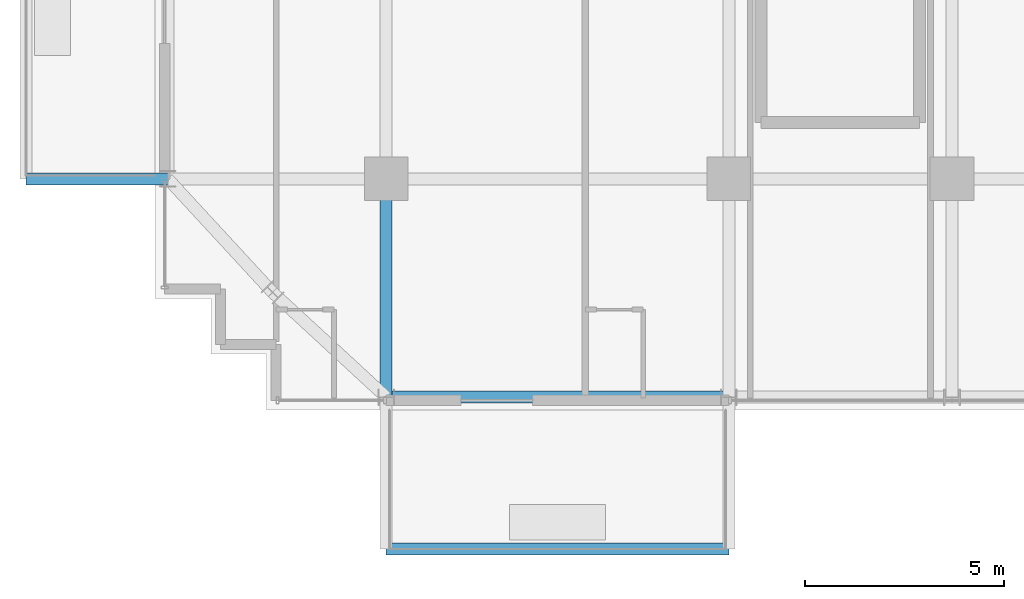
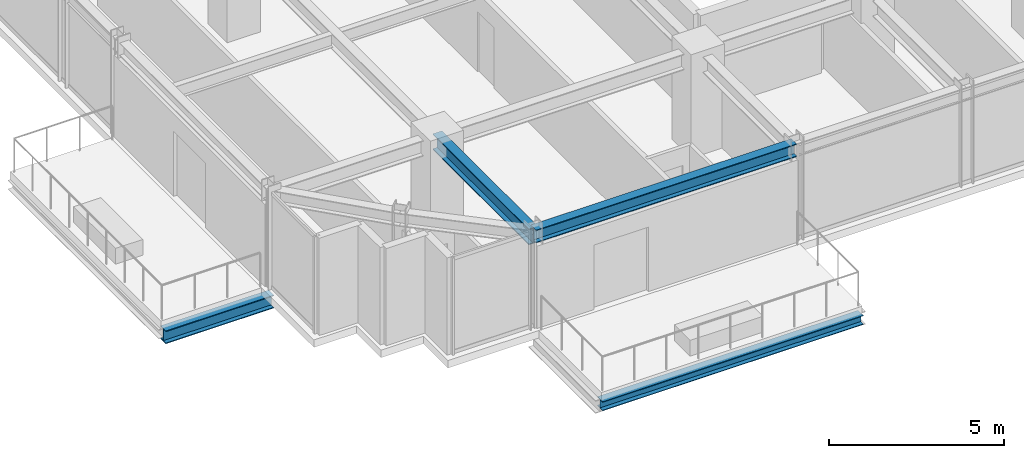
# One storey, part 3 of 31: 4 beams.
"""IFC4 building model written with IfcOpenShell, lengths in metres."""

import ifcopenshell
import ifcopenshell.guid

model = None  # the IFC model being written
_history = None  # IfcOwnerHistory: only IFC2X3 demands one
_inside = {}  # id of a spatial element -> (the spatial element, [elements in it])
_under = {}  # id of a project, library or spatial element -> (it, [spatial elements below it])
_declared = {}  # id of a project -> (the project, [libraries it declares])
_typed = {}  # id of a type object -> (the type object, [elements of that type])
_made_of = {}  # id of a material, layer set ... -> (it, [elements and type objects made of it])


def new_model(schema):
    """Start an empty IFC model of exactly this schema.

    Asked for "IFC4X3", IfcOpenShell would pick the latest addendum, in which some entities
    have other attributes; the version numbers below select the first issue.
    IFC2X3 requires an IfcOwnerHistory on every rooted entity: one is made here for all.
    """
    global model, _history
    if schema == "IFC4X3":
        model = ifcopenshell.file(schema_version=(4, 3, 0, 0))
    else:
        model = ifcopenshell.file(schema=schema)
    _inside.clear()
    _under.clear()
    _declared.clear()
    _typed.clear()
    _made_of.clear()
    _history = None
    if model.schema == "IFC2X3":
        org = make("IfcOrganization", Name="unknown")
        user = make(
            "IfcPersonAndOrganization",
            ThePerson=make("IfcPerson", FamilyName="unknown"),
            TheOrganization=org,
        )
        app = make(
            "IfcApplication",
            ApplicationDeveloper=org,
            Version="unknown",
            ApplicationFullName="unknown",
            ApplicationIdentifier="unknown",
        )
        _history = make(
            "IfcOwnerHistory",
            OwningUser=user,
            OwningApplication=app,
            ChangeAction="ADDED",
            CreationDate=0,
        )
    return model


def make(cls, **values):
    """One entity of the class cls with the attributes given. An attribute that is None is left unset."""
    return model.create_entity(
        cls, **{name: value for name, value in values.items() if value is not None}
    )


def rooted(cls, **values):
    """An entity with a GlobalId (a new one), such as an element, a storey or a relation."""
    return make(cls, GlobalId=ifcopenshell.guid.new(), OwnerHistory=_history, **values)


def si_unit(unit_type, name, prefix=None):
    """IfcSIUnit, for example si_unit("LENGTHUNIT", "METRE", prefix="MILLI")."""
    return make("IfcSIUnit", UnitType=unit_type, Prefix=prefix, Name=name)


def assignment(units):
    """IfcUnitAssignment: the units of a project."""
    return None if units is None else make("IfcUnitAssignment", Units=units)


def point(xyz):
    """IfcCartesianPoint."""
    return None if xyz is None else make("IfcCartesianPoint", Coordinates=xyz)


def direction(xyz):
    """IfcDirection."""
    return None if xyz is None else make("IfcDirection", DirectionRatios=xyz)


def frame(location, z_axis=None, x_axis=None):
    """IfcAxis2Placement3D, a coordinate frame: its origin and axes. An axis left out is left unset."""
    return make(
        "IfcAxis2Placement3D",
        Location=point(location),
        Axis=direction(z_axis),
        RefDirection=direction(x_axis),
    )


def frame_2d(location, x_axis=None):
    """IfcAxis2Placement2D, a coordinate frame in the plane: its origin and x axis."""
    return make(
        "IfcAxis2Placement2D", Location=point(location), RefDirection=direction(x_axis)
    )


def origin():
    """The frame at (0, 0, 0) with its axes left unset."""
    return frame((0.0, 0.0, 0.0))


def origin_2d():
    """The frame at (0, 0) in the plane with its x axis left unset."""
    return frame_2d((0.0, 0.0))


def place(relative_to, where):
    """IfcLocalPlacement: puts the frame where relative to a parent placement (None: the world)."""
    return make(
        "IfcLocalPlacement", PlacementRelTo=relative_to, RelativePlacement=where
    )


def context(
    kind, dimensions, precision=None, world=None, true_north=None, identifier=None
):
    """IfcGeometricRepresentationContext, for example the 3D "Model" context."""
    return make(
        "IfcGeometricRepresentationContext",
        ContextIdentifier=identifier,
        ContextType=kind,
        CoordinateSpaceDimension=dimensions,
        Precision=precision,
        WorldCoordinateSystem=world,
        TrueNorth=true_north,
    )


def subcontext(parent, identifier, kind, view, scale=None):
    """IfcGeometricRepresentationSubContext, for example "Body" below "Model"."""
    return make(
        "IfcGeometricRepresentationSubContext",
        ContextIdentifier=identifier,
        ContextType=kind,
        ParentContext=parent,
        TargetScale=scale,
        TargetView=view,
    )


def project(units=None, contexts=None):
    """IfcProject with its units and contexts."""
    return rooted(
        "IfcProject",
        Name="project",
        RepresentationContexts=contexts,
        UnitsInContext=assignment(units),
    )


def spatial(cls, under=None, at=None, **own):
    """A site, building, storey or space (cls), placed at a placement, below another one or the project."""
    s = rooted(cls, ObjectPlacement=at, **own)
    if under is not None:
        _under.setdefault(under.id(), (under, []))[1].append(s)
    return s


def profile(cls, at=None, kind="AREA", **sizes):
    """A parametric profile (cls). Its sizes go by their IFC names, for example OverallWidth=200.0."""
    return make(cls, ProfileType=kind, Position=at, **sizes)


def i_section(**sizes):
    """IfcIShapeProfileDef."""
    return profile("IfcIShapeProfileDef", **sizes)


def extrude(swept, where, along, depth):
    """IfcExtrudedAreaSolid: the profile swept, set in the frame where, extruded along a direction by depth."""
    return make(
        "IfcExtrudedAreaSolid",
        SweptArea=swept,
        Position=where,
        ExtrudedDirection=direction(along),
        Depth=depth,
    )


def shape(context_of_items, identifier, shape_type, items):
    """IfcShapeRepresentation: the items that make up one representation, for example the "Body"."""
    return make(
        "IfcShapeRepresentation",
        ContextOfItems=context_of_items,
        RepresentationIdentifier=identifier,
        RepresentationType=shape_type,
        Items=items,
    )


def source(mapping_origin, context_of_items, identifier, shape_type, items):
    """IfcRepresentationMap: a shape defined once, which mapped items show again and again."""
    return make(
        "IfcRepresentationMap",
        MappingOrigin=mapping_origin,
        MappedRepresentation=shape(context_of_items, identifier, shape_type, items),
    )


def transform(
    local_origin,
    x_axis=None,
    y_axis=None,
    z_axis=None,
    scale=None,
    scale2=None,
    scale3=None,
    uniform=True,
):
    """IfcCartesianTransformationOperator3D, or its non-uniform kind. x_axis, y_axis, z_axis: its Axis1, 2, 3."""
    if uniform:
        return make(
            "IfcCartesianTransformationOperator3D",
            Axis1=direction(x_axis),
            Axis2=direction(y_axis),
            LocalOrigin=point(local_origin),
            Scale=scale,
            Axis3=direction(z_axis),
        )
    return make(
        "IfcCartesianTransformationOperator3DnonUniform",
        Axis1=direction(x_axis),
        Axis2=direction(y_axis),
        LocalOrigin=point(local_origin),
        Scale=scale,
        Axis3=direction(z_axis),
        Scale2=scale2,
        Scale3=scale3,
    )


def mapped(mapping_source, mapping_target):
    """IfcMappedItem: shows the shape of a source again, moved by a transform."""
    return make(
        "IfcMappedItem", MappingSource=mapping_source, MappingTarget=mapping_target
    )


def material(Name=None, Category=None):
    """IfcMaterial."""
    return make("IfcMaterial", Name=Name, Category=Category)


def material_profile(
    of_material, cross_section, Name=None, Category=None, Priority=None
):
    """IfcMaterialProfile: a cross section and its material."""
    return make(
        "IfcMaterialProfile",
        Name=Name,
        Material=of_material,
        Profile=cross_section,
        Priority=Priority,
        Category=Category,
    )


def profile_set(profiles, Name=None, composite=None):
    """IfcMaterialProfileSet."""
    return make(
        "IfcMaterialProfileSet",
        Name=Name,
        MaterialProfiles=profiles,
        CompositeProfile=composite,
    )


def made_of(thing, what):
    """Note that an element or type object is made of a material, layer set ...; save() writes the relation."""
    if what is not None:
        _made_of.setdefault(what.id(), (what, []))[1].append(thing)
    return thing


def type_object(cls, material=None, **own):
    """A type object (cls), such as IfcWallType, which elements share."""
    return made_of(rooted(cls, **own), material)


def element(
    cls,
    number,
    at=None,
    inside=None,
    cuts=None,
    type_object=None,
    material=None,
    context=None,
    identifier="Body",
    shape_type=None,
    held_by="IfcProductDefinitionShape",
    body=None,
    shapes=None,
    **own,
):
    """One element of the class cls, such as IfcWall. Its Tag is "e" and its number.

    at: its placement. inside: the storey or other place that contains it. cuts: it is an
    opening in that element (IfcRelVoidsElement). A single representation is given by context,
    identifier, shape_type and body (its items); several are given by shapes. held_by: the class
    of the entity that holds the representations. save() writes the other relations.
    """
    e = rooted(cls, Tag="e%d" % number, ObjectPlacement=at, **own)
    if body is not None:
        shapes = [shape(context, identifier, shape_type, body)]
    if shapes is not None:
        e.Representation = make(held_by, Representations=shapes)
    if inside is not None:
        _inside.setdefault(inside.id(), (inside, []))[1].append(e)
    if cuts is not None:
        rooted(
            "IfcRelVoidsElement", RelatingBuildingElement=cuts, RelatedOpeningElement=e
        )
    if type_object is not None:
        _typed.setdefault(type_object.id(), (type_object, []))[1].append(e)
    return made_of(e, material)


def aggregate(whole, parts):
    """IfcRelAggregates: a whole, such as a stair, and the parts it consists of."""
    return rooted("IfcRelAggregates", RelatingObject=whole, RelatedObjects=parts)


def save(model, path):
    """Write the relations noted so far, then the file.

    IfcRelAggregates (storeys below a building ...), IfcRelContainedInSpatialStructure (elements
    in a storey), IfcRelDefinesByType, IfcRelAssociatesMaterial and IfcRelDeclares: one each for
    every whole, place, type object, material and project.
    """
    for whole, parts in _under.values():
        aggregate(whole, parts)
    for where, things in _inside.values():
        rooted(
            "IfcRelContainedInSpatialStructure",
            RelatedElements=things,
            RelatingStructure=where,
        )
    for kind, things in _typed.values():
        rooted("IfcRelDefinesByType", RelatedObjects=things, RelatingType=kind)
    for what, things in _made_of.values():
        rooted("IfcRelAssociatesMaterial", RelatedObjects=things, RelatingMaterial=what)
    for by, libraries in _declared.values():
        rooted("IfcRelDeclares", RelatingContext=by, RelatedDefinitions=libraries)
    model.write(path)


model = new_model("IFC4")

# Units and contexts
model_context = context("Model", 3, precision=1e-05, world=origin(), true_north=direction((0.0, 1.0)))
body_context = subcontext(model_context, "Body", "Model", "MODEL_VIEW")
ifc_project = project(units=[si_unit("LENGTHUNIT", "METRE"), si_unit("AREAUNIT", "SQUARE_METRE"), si_unit("VOLUMEUNIT", "CUBIC_METRE"), si_unit("PLANEANGLEUNIT", "RADIAN"), si_unit("MASSUNIT", "GRAM", prefix="KILO")], contexts=[model_context])

# Site, building, storey
site_placement = place(None, origin())
site = spatial("IfcSite", under=ifc_project, at=site_placement, CompositionType="ELEMENT")
building_placement = place(site_placement, origin())
building = spatial("IfcBuilding", under=site, at=building_placement, Name="Nahalor Promenade Grand Hotel", CompositionType="ELEMENT")
storey_placement = place(building_placement, frame((0.0, 0.0, 156.300048828125)))
storey = spatial("IfcBuildingStorey", under=building, at=storey_placement, Name="L39", CompositionType="ELEMENT", Elevation=156.300048828125)

# Beams
ifc_material = material(Name="Steel S355JR", Category="steel")
ifc_material_profile_1 = material_profile(ifc_material, i_section(OverallWidth=0.3, OverallDepth=0.32, WebThickness=0.0115, FlangeThickness=0.0205, at=origin_2d()), Name="HEB 320")
ifc_profile_set_1 = profile_set([ifc_material_profile_1], Name="Steel S355JR")
beam_type_1 = type_object("IfcBeamType", Name="Beam-BalcEdge-HEB320", PredefinedType="SPANDREL", material=ifc_profile_set_1)
shared_shape_1 = source(origin(), body_context, "Body", "SweptSolid", [
    extrude(i_section(OverallWidth=0.3, OverallDepth=0.32, WebThickness=0.0115, FlangeThickness=0.0205, at=origin_2d()), origin(), (0.0, 0.0, 1.0), 8.60009765625),
])
beam_1_placement = place(storey_placement, frame((-17.0, -26.2900390625, -0.43994140625), z_axis=(1.0, 0.0, 0.0), x_axis=(0.0, 1.0, 0.0)))
element("IfcBeam", 1, at=beam_1_placement, inside=storey, type_object=beam_type_1, Name="BM-L39-BC-01-F", PredefinedType="SPANDREL", context=body_context, shape_type="MappedRepresentation", body=[
    mapped(shared_shape_1, transform((0.0, 0.0, 0.0), scale=1.0)),
])
ifc_material_profile_2 = material_profile(ifc_material, i_section(OverallWidth=0.3, OverallDepth=0.45, WebThickness=0.014, FlangeThickness=0.026, at=origin_2d()), Name="HEB 450")
ifc_profile_set_2 = profile_set([ifc_material_profile_2], Name="Steel S355JR")
beam_type_2 = type_object("IfcBeamType", Name="Beam-Outrigger-HEB450", PredefinedType="BEAM", material=ifc_profile_set_2)
shared_shape_2 = source(origin(), body_context, "Body", "SweptSolid", [
    extrude(i_section(OverallWidth=0.3, OverallDepth=0.45, WebThickness=0.014, FlangeThickness=0.026, at=origin_2d()), origin(), (0.0, 0.0, 1.0), 3.56005859375),
])
beam_2_placement = place(storey_placement, frame((-26.0400390625, -17.0, -0.505126953125), z_axis=(1.0, 0.0, 0.0), x_axis=(0.0, 1.0, 0.0)))
element("IfcBeam", 2, at=beam_2_placement, inside=storey, type_object=beam_type_2, Name="BM-L39-BC-02-1", PredefinedType="BEAM", context=body_context, shape_type="MappedRepresentation", body=[
    mapped(shared_shape_2, transform((0.0, 0.0, 0.0), scale=1.0)),
])
ifc_material_profile_3 = material_profile(ifc_material, i_section(OverallWidth=0.3, OverallDepth=0.55, WebThickness=0.015, FlangeThickness=0.029, at=origin_2d()), Name="HEB 550")
ifc_profile_set_3 = profile_set([ifc_material_profile_3], Name="Steel S355JR")
beam_type_3 = type_object("IfcBeamType", Name="Beam-Girder-HEB550", PredefinedType="BEAM", material=ifc_profile_set_3)
shared_shape_3 = source(origin(), body_context, "Body", "SweptSolid", [
    extrude(i_section(OverallWidth=0.3, OverallDepth=0.55, WebThickness=0.015, FlangeThickness=0.029, at=origin_2d()), origin(), (0.0, 0.0, 1.0), 5.47998046875),
])
beam_3_placement = place(storey_placement, frame((-17.0, -22.47998046875, 3.114990234375), z_axis=(0.0, 1.0, 0.0), x_axis=(-1.0, 0.0, 0.0)))
element("IfcBeam", 3, at=beam_3_placement, inside=storey, type_object=beam_type_3, Name="BM-L39-GY-0-0", PredefinedType="BEAM", context=body_context, shape_type="MappedRepresentation", body=[
    mapped(shared_shape_3, transform((0.0, 0.0, 0.0), scale=1.0)),
])
ifc_material_profile_4 = material_profile(ifc_material, i_section(OverallWidth=0.3, OverallDepth=0.45, WebThickness=0.014, FlangeThickness=0.026, at=origin_2d()), Name="HEB 450")
ifc_profile_set_4 = profile_set([ifc_material_profile_4], Name="Steel S355JR")
beam_type_4 = type_object("IfcBeamType", Name="Beam-Spandrel-HEB450", PredefinedType="SPANDREL", material=ifc_profile_set_4)
shared_shape_4 = source(origin(), body_context, "Body", "SweptSolid", [
    extrude(i_section(OverallWidth=0.3, OverallDepth=0.45, WebThickness=0.014, FlangeThickness=0.026, at=origin_2d()), origin(), (0.0, 0.0, 1.0), 8.60009765625),
])
beam_4_placement = place(storey_placement, frame((-17.0, -22.47998046875, 3.1650390625), z_axis=(1.0, 0.0, 0.0), x_axis=(0.0, 1.0, 0.0)))
element("IfcBeam", 4, at=beam_4_placement, inside=storey, type_object=beam_type_4, Name="BM-L39-SP-S-0", PredefinedType="SPANDREL", context=body_context, shape_type="MappedRepresentation", body=[
    mapped(shared_shape_4, transform((0.0, 0.0, 0.0), scale=1.0)),
])

save(model, "model.ifc")
